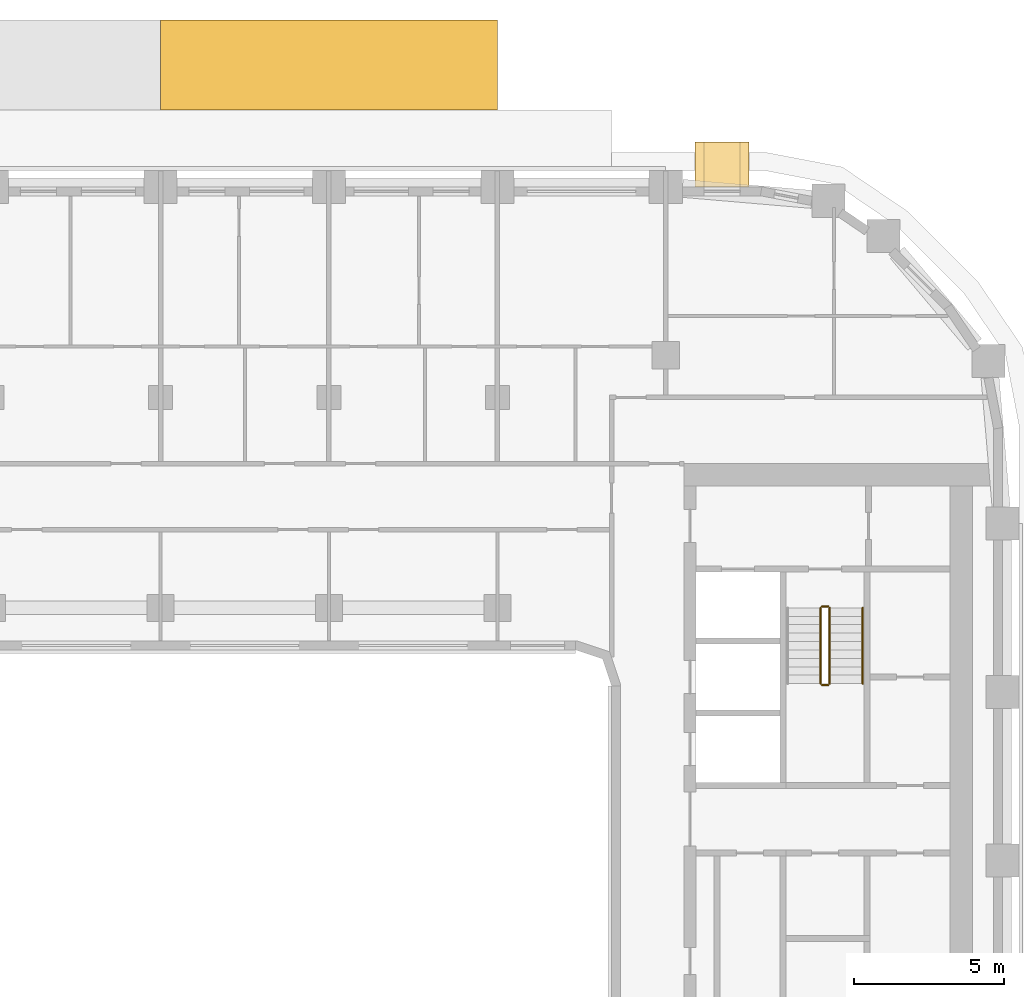
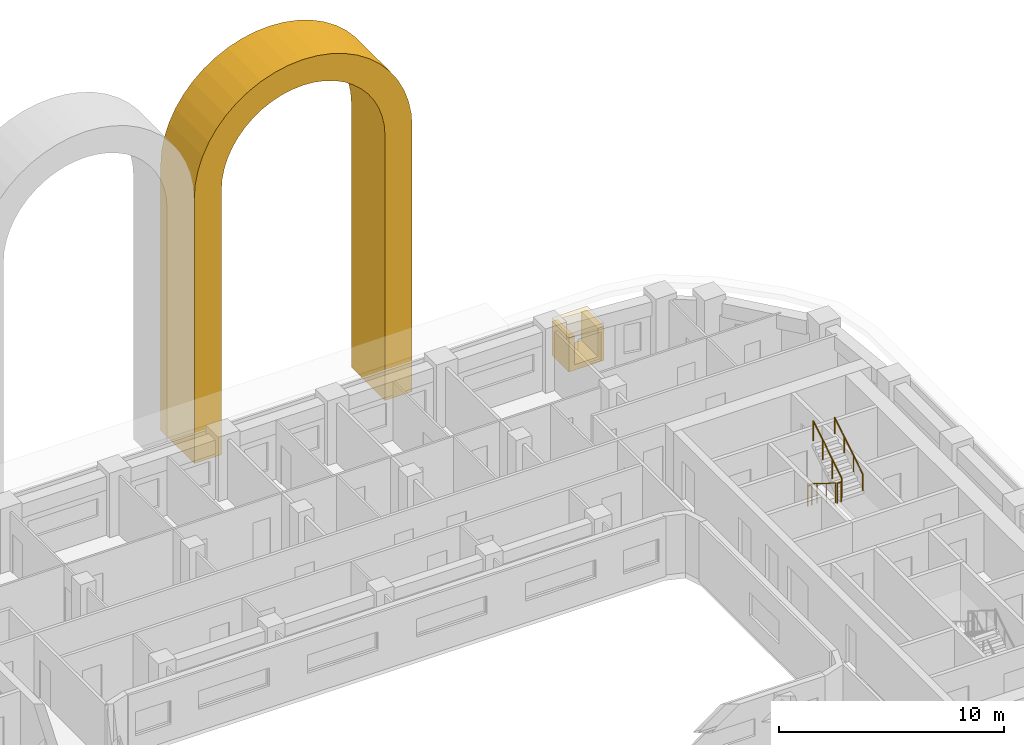
# One storey, part 18 of 18: 5 railings, 3 coverings.
"""IFC4 building model written with IfcOpenShell, lengths in metres."""

from ifc_helpers import new_model, si_unit, direction, frame, origin, origin_2d, place, context, subcontext, project, spatial, polyline, rectangle, circle, outline, extrude, material, layer, layer_set, type_object, element, save


model = new_model("IFC4")

# Units and contexts
model_context = context("Model", 3, precision=1e-05, world=origin(), true_north=direction((0.0, 1.0)))
body_context = subcontext(model_context, "Body", "Model", "MODEL_VIEW")
ifc_project = project(units=[si_unit("LENGTHUNIT", "METRE"), si_unit("AREAUNIT", "SQUARE_METRE"), si_unit("VOLUMEUNIT", "CUBIC_METRE"), si_unit("PLANEANGLEUNIT", "RADIAN"), si_unit("MASSUNIT", "GRAM", prefix="KILO")], contexts=[model_context])

# Site, building, storey
site_placement = place(None, origin())
site = spatial("IfcSite", under=ifc_project, at=site_placement, CompositionType="ELEMENT")
building_placement = place(site_placement, origin())
building = spatial("IfcBuilding", under=site, at=building_placement, Name="Kiln Ring Residences", CompositionType="ELEMENT")
storey_placement = place(building_placement, frame((0.0, 0.0, 157.10009765625)))
storey = spatial("IfcBuildingStorey", under=building, at=storey_placement, Name="L40", CompositionType="ELEMENT", Elevation=157.10009765625)

# Covering
ifc_material_1 = material(Name="Brick masonry, dark clay brick", Category="masonry")
ifc_layer_1 = layer(ifc_material_1, 1.39990234375)
ifc_layer_set_1 = layer_set([ifc_layer_1], Name="ARCH SURROUND 3000")
covering_type_1 = type_object("IfcCoveringType", Name="ARCH SURROUND 3000", PredefinedType="CLADDING", material=ifc_layer_set_1)
covering_1_placement = place(storey_placement, frame((0.0, 26.449951171875, 0.0), z_axis=(0.0, 0.0, 1.0), x_axis=(1.0, 0.0, 0.0)))
element("IfcCovering", 1, at=covering_1_placement, inside=storey, type_object=covering_type_1, Name="ARCH SURROUND Z3 N2.2", PredefinedType="CLADDING", context=body_context, shape_type="SweptSolid", body=[
    extrude(outline(polyline([(0.0, 0.0), (0.0, 14.39990234375), (0.0478515625, 15.130859375), (0.19091796875, 15.849365234375), (0.42626953125, 16.54296875), (0.750244140625, 17.199951171875), (1.1572265625, 17.80908203125), (1.64013671875, 18.359619140625), (2.19091796875, 18.8427734375), (2.800048828125, 19.24951171875), (3.45703125, 19.573486328125), (4.150634765625, 19.80908203125), (4.869140625, 19.951904296875), (5.60009765625, 20.0), (6.330810546875, 19.951904296875), (7.04931640625, 19.80908203125), (7.742919921875, 19.573486328125), (8.39990234375, 19.24951171875), (9.009033203125, 18.8427734375), (9.559814453125, 18.359619140625), (10.042724609375, 17.80908203125), (10.44970703125, 17.199951171875), (10.773681640625, 16.54296875), (11.00927734375, 15.849365234375), (11.152099609375, 15.130859375), (11.199951171875, 14.39990234375), (11.199951171875, 0.0), (9.800048828125, 0.0), (9.800048828125, 14.39990234375), (9.76416015625, 14.947998046875), (9.656982421875, 15.48681640625), (9.480224609375, 16.00732421875), (9.2373046875, 16.5), (8.93212890625, 16.956787109375), (8.56982421875, 17.36962890625), (8.15673828125, 17.73193359375), (7.699951171875, 18.037109375), (7.207275390625, 18.2802734375), (6.68701171875, 18.456787109375), (6.148193359375, 18.56396484375), (5.60009765625, 18.599853515625), (5.0517578125, 18.56396484375), (4.512939453125, 18.456787109375), (3.99267578125, 18.2802734375), (3.5, 18.037109375), (3.043212890625, 17.73193359375), (2.630126953125, 17.36962890625), (2.267822265625, 16.956787109375), (1.962646484375, 16.5), (1.7197265625, 16.00732421875), (1.543212890625, 15.48681640625), (1.435791015625, 14.947998046875), (1.39990234375, 14.39990234375), (1.39990234375, 0.0), (0.0, 0.0)])), frame((0.0, 1.5, 0.0), z_axis=(0.0, -1.0, 0.0), x_axis=(1.0, 0.0, 0.0)), (0.0, 0.0, 1.0), 3.0),
])

# Railings
ifc_material_2 = material(Name="Stainless steel", Category="steel")
railing_type_1 = type_object("IfcRailingType", Name="CORE-STAIR-GUARD", PredefinedType="GUARDRAIL", material=ifc_material_2)
railing_1_placement = place(storey_placement, frame((21.949951171875, 8.39990234375, 0.1748046875)))
element("IfcRailing", 2, at=railing_1_placement, inside=storey, type_object=railing_type_1, Name="L40 E-STN stair guard 1", PredefinedType="GUARDRAIL", context=body_context, shape_type="SweptSolid", body=[
    extrude(circle(Radius=0.02392578125, at=origin_2d()), frame((0.0, 0.0, 1.076171875), z_axis=(0.0, -0.847970611238, 0.530043245855), x_axis=(1.0, 0.0, 0.0)), (0.0, 0.0, 1.0), 2.971923828125),
    extrude(circle(Radius=0.02099609375, at=origin_2d()), origin(), (0.0, 0.0, 1.0), 1.052001953125),
    extrude(circle(Radius=0.02099609375, at=origin_2d()), frame((0.0, -0.840087890625, 0.525146484375)), (0.0, 0.0, 1.0), 1.052001953125),
    extrude(circle(Radius=0.02099609375, at=origin_2d()), frame((0.0, -1.679931640625, 1.050048828125)), (0.0, 0.0, 1.0), 1.052001953125),
    extrude(circle(Radius=0.02099609375, at=origin_2d()), frame((0.0, -2.52001953125, 1.5751953125)), (0.0, 0.0, 1.0), 1.052001953125),
])
railing_2_placement = place(storey_placement, frame((22.0, 5.830078125, 1.75)))
element("IfcRailing", 3, at=railing_2_placement, inside=storey, type_object=railing_type_1, Name="L40 E-STN stair guard 2", PredefinedType="GUARDRAIL", context=body_context, shape_type="SweptSolid", body=[
    extrude(circle(Radius=0.02392578125, at=origin_2d()), frame((0.0, 0.0, 1.076171875), z_axis=(1.0, 0.0, 0.0), x_axis=(0.0, 1.0, 0.0)), (0.0, 0.0, 1.0), 0.199951171875),
    extrude(circle(Radius=0.02099609375, at=origin_2d()), origin(), (0.0, 0.0, 1.0), 1.052001953125),
    extrude(circle(Radius=0.02099609375, at=origin_2d()), frame((0.199951171875, 0.0, 0.0)), (0.0, 0.0, 1.0), 1.052001953125),
])
railing_3_placement = place(storey_placement, frame((22.25, 5.8798828125, 1.9248046875)))
element("IfcRailing", 4, at=railing_3_placement, inside=storey, type_object=railing_type_1, Name="L40 E-STN stair guard 3", PredefinedType="GUARDRAIL", context=body_context, shape_type="SweptSolid", body=[
    extrude(circle(Radius=0.02392578125, at=origin_2d()), frame((0.0, 0.0, 1.076171875), z_axis=(0.0, 0.847970611238, 0.530043245855), x_axis=(-1.0, 0.0, 0.0)), (0.0, 0.0, 1.0), 2.971923828125),
    extrude(circle(Radius=0.02099609375, at=origin_2d()), origin(), (0.0, 0.0, 1.0), 1.052001953125),
    extrude(circle(Radius=0.02099609375, at=origin_2d()), frame((0.0, 0.840087890625, 0.525146484375)), (0.0, 0.0, 1.0), 1.052001953125),
    extrude(circle(Radius=0.02099609375, at=origin_2d()), frame((0.0, 1.679931640625, 1.050048828125)), (0.0, 0.0, 1.0), 1.052001953125),
    extrude(circle(Radius=0.02099609375, at=origin_2d()), frame((0.0, 2.52001953125, 1.5751953125)), (0.0, 0.0, 1.0), 1.052001953125),
])
railing_4_placement = place(storey_placement, frame((22.0, 8.449951171875, 0.0)))
element("IfcRailing", 5, at=railing_4_placement, inside=storey, type_object=railing_type_1, Name="L40 E-STN stair guard 4", PredefinedType="GUARDRAIL", context=body_context, shape_type="SweptSolid", body=[
    extrude(circle(Radius=0.02392578125, at=origin_2d()), frame((0.0, 0.0, 1.076171875), z_axis=(1.0, 0.0, 0.0), x_axis=(0.0, 1.0, 0.0)), (0.0, 0.0, 1.0), 0.199951171875),
    extrude(circle(Radius=0.02099609375, at=origin_2d()), origin(), (0.0, 0.0, 1.0), 1.052001953125),
    extrude(circle(Radius=0.02099609375, at=origin_2d()), frame((0.199951171875, 0.0, 0.0)), (0.0, 0.0, 1.0), 1.052001953125),
])
ifc_material_3 = material(Name="Stainless steel", Category="steel")
railing_type_2 = type_object("IfcRailingType", Name="CORE-STAIR-HANDRAIL", PredefinedType="HANDRAIL", material=ifc_material_3)
railing_5_placement = place(storey_placement, frame((23.35009765625, 5.8798828125, 1.9248046875)))
element("IfcRailing", 6, at=railing_5_placement, inside=storey, type_object=railing_type_2, Name="L40 E-STN stair handrail 2", PredefinedType="HANDRAIL", context=body_context, shape_type="SweptSolid", body=[
    extrude(circle(Radius=0.02392578125, at=origin_2d()), frame((0.0, 0.0, 0.8759765625), z_axis=(0.0, 0.847970611238, 0.530043245855), x_axis=(-1.0, 0.0, 0.0)), (0.0, 0.0, 1.0), 2.971923828125),
    extrude(circle(Radius=0.02099609375, at=origin_2d()), origin(), (0.0, 0.0, 1.0), 0.851806640625),
    extrude(circle(Radius=0.02099609375, at=origin_2d()), frame((0.0, 0.840087890625, 0.525146484375)), (0.0, 0.0, 1.0), 0.851806640625),
    extrude(circle(Radius=0.02099609375, at=origin_2d()), frame((0.0, 1.679931640625, 1.050048828125)), (0.0, 0.0, 1.0), 0.851806640625),
    extrude(circle(Radius=0.02099609375, at=origin_2d()), frame((0.0, 2.52001953125, 1.5751953125)), (0.0, 0.0, 1.0), 0.851806640625),
])

# Coverings
ifc_material_4 = material(Name="Brick masonry, dark clay brick", Category="masonry")
ifc_layer_2 = layer(ifc_material_4, 0.300048828125)
ifc_layer_set_2 = layer_set([ifc_layer_2], Name="FRAME CHEEKS AND SILL 1500")
covering_type_2 = type_object("IfcCoveringType", Name="FRAME CHEEKS AND SILL 1500", PredefinedType="CLADDING", material=ifc_layer_set_2)
covering_2_placement = place(storey_placement, frame((19.574951171875, 23.14990234375, 0.2998046875), z_axis=(0.0, 0.0, 1.0), x_axis=(-1.0, 0.0, 0.0)))
element("IfcCovering", 7, at=covering_2_placement, inside=storey, type_object=covering_type_2, Name="FRAME L40", PredefinedType="CLADDING", context=body_context, shape_type="SweptSolid", body=[
    extrude(outline(polyline([(0.0, 0.0), (1.800048828125, 0.0), (1.800048828125, 1.85009765625), (1.5009765625, 1.85009765625), (1.5, 0.300048828125), (0.300048828125, 0.300048828125), (0.299072265625, 1.85009765625), (0.0, 1.85009765625), (0.0, 0.0)])), frame((0.0, 0.75, 0.0), z_axis=(0.0, -1.0, 0.0), x_axis=(1.0, 0.0, 0.0)), (0.0, 0.0, 1.0), 1.5),
])
ifc_material_5 = material(Name="Brick masonry, dark clay brick", Category="masonry")
ifc_layer_3 = layer(ifc_material_5, 0.199951171875)
ifc_layer_set_3 = layer_set([ifc_layer_3], Name="FRAME HEAD 1500")
covering_type_3 = type_object("IfcCoveringType", Name="FRAME HEAD 1500", PredefinedType="CLADDING", material=ifc_layer_set_3)
covering_3_placement = place(storey_placement, frame((18.675048828125, 23.14990234375, 2.14990234375), z_axis=(0.0, 0.0, 1.0), x_axis=(-1.0, 0.0, 0.0)))
element("IfcCovering", 8, at=covering_3_placement, inside=storey, type_object=covering_type_3, Name="FRAME HEAD L40", PredefinedType="CLADDING", context=body_context, shape_type="SweptSolid", body=[
    extrude(rectangle(XDim=1.800048828125, YDim=1.5, at=origin_2d()), origin(), (0.0, 0.0, 1.0), 0.199951171875),
])

save(model, "model.ifc")
